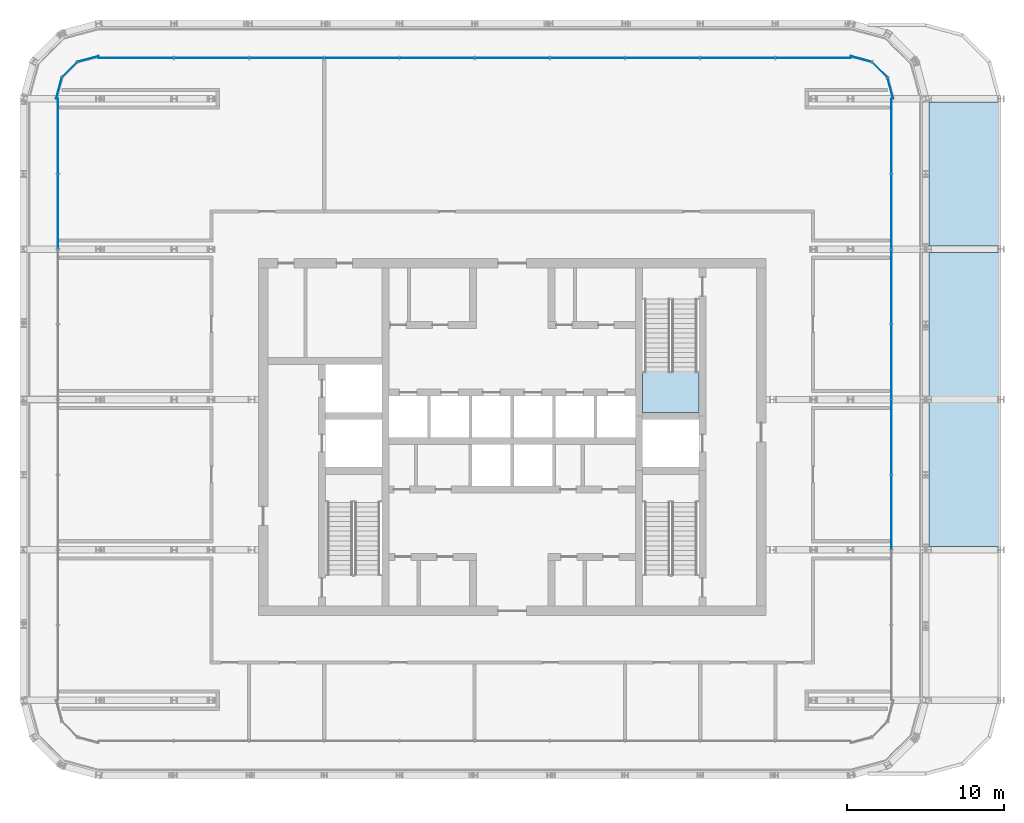
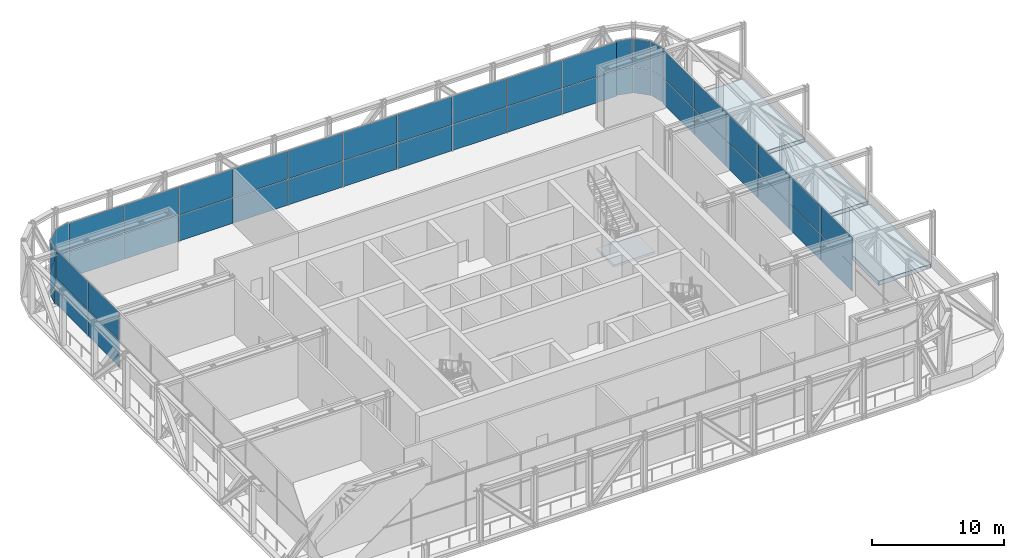
# One storey, part 17 of 26: 48 plates, 4 slabs, 6 elements without a shape of their own.
"""IFC4 building model written with IfcOpenShell, lengths in metres."""

from ifc_helpers import new_model, si_unit, direction, frame, origin, origin_2d, place, context, subcontext, project, spatial, polyline, rectangle, outline, extrude, material, layer, layer_set, type_object, element, aggregate, save


model = new_model("IFC4")

# Units and contexts
model_context = context("Model", 3, precision=1e-05, world=origin(), true_north=direction((0.0, 1.0)))
body_context = subcontext(model_context, "Body", "Model", "MODEL_VIEW")
ifc_project = project(units=[si_unit("LENGTHUNIT", "METRE"), si_unit("AREAUNIT", "SQUARE_METRE"), si_unit("VOLUMEUNIT", "CUBIC_METRE"), si_unit("PLANEANGLEUNIT", "RADIAN"), si_unit("MASSUNIT", "GRAM", prefix="KILO")], contexts=[model_context])

# Site, building, storey
site_placement = place(None, origin())
site = spatial("IfcSite", under=ifc_project, at=site_placement, CompositionType="ELEMENT")
building_placement = place(site_placement, origin())
building = spatial("IfcBuilding", under=site, at=building_placement, Name="Madar Terraces", CompositionType="ELEMENT")
storey_placement = place(building_placement, frame((0.0, 0.0, 233.300048828125)))
storey = spatial("IfcBuildingStorey", under=building, at=storey_placement, Name="L61", CompositionType="ELEMENT", Elevation=233.300048828125)

# Curtain wall, plates
ifc_material_1 = material(Name="Glass, ceramic frit dark grey, with black aluminium frame", Category="aluminium")
ifc_layer_1 = layer(ifc_material_1, 0.199951171875)
ifc_layer_set_1 = layer_set([ifc_layer_1], Name="Facade curtain wall, tall glazing")
curtain_wall_type = type_object("IfcCurtainWallType", Name="Facade curtain wall, tall glazing", PredefinedType="NOTDEFINED", material=ifc_layer_set_1)
curtain_wall_1_placement = place(storey_placement, origin())
curtain_wall_1 = element("IfcCurtainWall", 1, at=curtain_wall_1_placement, inside=storey, type_object=curtain_wall_type, Name="Outer skin curtain wall east bay 1", PredefinedType="NOTDEFINED")
ifc_material_2 = material(Name="Glass, ceramic frit dark grey", Category="glass")
ifc_layer_2 = layer(ifc_material_2, 0.028076171875)
ifc_layer_set_2 = layer_set([ifc_layer_2], Name="Facade glass panel 28")
plate_type = type_object("IfcPlateType", Name="Facade glass panel 28", PredefinedType="CURTAIN_PANEL", material=ifc_layer_set_2)
plate_1_placement = place(storey_placement, frame((55.39990234375, 21.60009765625, 0.0), z_axis=(0.0, 0.0, 1.0), x_axis=(0.0, 1.0, 0.0)))
plate_1 = element("IfcPlate", 2, at=plate_1_placement, type_object=plate_type, Name="Panel 5", PredefinedType="CURTAIN_PANEL", context=body_context, shape_type="SweptSolid", body=[
    extrude(rectangle(XDim=4.739990234375, YDim=0.028076171875, at=origin_2d()), origin(), (0.0, 0.0, 1.0), 2.3701171875),
])
plate_2_placement = place(storey_placement, frame((55.39990234375, 21.60009765625, 2.4296875), z_axis=(0.0, 0.0, 1.0), x_axis=(0.0, 1.0, 0.0)))
plate_2 = element("IfcPlate", 3, at=plate_2_placement, type_object=plate_type, Name="Panel 6", PredefinedType="CURTAIN_PANEL", context=body_context, shape_type="SweptSolid", body=[
    extrude(rectangle(XDim=4.739990234375, YDim=0.028076171875, at=origin_2d()), origin(), (0.0, 0.0, 1.0), 2.610107421875),
])
plate_3_placement = place(storey_placement, frame((55.39990234375, 26.39990234375, 0.0), z_axis=(0.0, 0.0, 1.0), x_axis=(0.0, 1.0, 0.0)))
plate_3 = element("IfcPlate", 4, at=plate_3_placement, type_object=plate_type, Name="Panel 7", PredefinedType="CURTAIN_PANEL", context=body_context, shape_type="SweptSolid", body=[
    extrude(rectangle(XDim=4.739990234375, YDim=0.028076171875, at=origin_2d()), origin(), (0.0, 0.0, 1.0), 2.3701171875),
])
plate_4_placement = place(storey_placement, frame((55.39990234375, 26.39990234375, 2.4296875), z_axis=(0.0, 0.0, 1.0), x_axis=(0.0, 1.0, 0.0)))
plate_4 = element("IfcPlate", 5, at=plate_4_placement, type_object=plate_type, Name="Panel 8", PredefinedType="CURTAIN_PANEL", context=body_context, shape_type="SweptSolid", body=[
    extrude(rectangle(XDim=4.739990234375, YDim=0.028076171875, at=origin_2d()), origin(), (0.0, 0.0, 1.0), 2.610107421875),
])
plate_5_placement = place(storey_placement, frame((55.39990234375, 31.199951171875, 0.0), z_axis=(0.0, 0.0, 1.0), x_axis=(0.0, 1.0, 0.0)))
plate_5 = element("IfcPlate", 6, at=plate_5_placement, type_object=plate_type, Name="Panel 9", PredefinedType="CURTAIN_PANEL", context=body_context, shape_type="SweptSolid", body=[
    extrude(rectangle(XDim=4.739990234375, YDim=0.028076171875, at=origin_2d()), origin(), (0.0, 0.0, 1.0), 2.3701171875),
])
plate_6_placement = place(storey_placement, frame((55.39990234375, 31.199951171875, 2.4296875), z_axis=(0.0, 0.0, 1.0), x_axis=(0.0, 1.0, 0.0)))
plate_6 = element("IfcPlate", 7, at=plate_6_placement, type_object=plate_type, Name="Panel 10", PredefinedType="CURTAIN_PANEL", context=body_context, shape_type="SweptSolid", body=[
    extrude(rectangle(XDim=4.739990234375, YDim=0.028076171875, at=origin_2d()), origin(), (0.0, 0.0, 1.0), 2.610107421875),
])
plate_7_placement = place(storey_placement, frame((55.39990234375, 36.0, 0.0), z_axis=(0.0, 0.0, 1.0), x_axis=(0.0, 1.0, 0.0)))
plate_7 = element("IfcPlate", 8, at=plate_7_placement, type_object=plate_type, Name="Panel 11", PredefinedType="CURTAIN_PANEL", context=body_context, shape_type="SweptSolid", body=[
    extrude(rectangle(XDim=4.739990234375, YDim=0.028076171875, at=origin_2d()), origin(), (0.0, 0.0, 1.0), 2.3701171875),
])
plate_8_placement = place(storey_placement, frame((55.39990234375, 36.0, 2.4296875), z_axis=(0.0, 0.0, 1.0), x_axis=(0.0, 1.0, 0.0)))
plate_8 = element("IfcPlate", 9, at=plate_8_placement, type_object=plate_type, Name="Panel 12", PredefinedType="CURTAIN_PANEL", context=body_context, shape_type="SweptSolid", body=[
    extrude(rectangle(XDim=4.739990234375, YDim=0.028076171875, at=origin_2d()), origin(), (0.0, 0.0, 1.0), 2.610107421875),
])
plate_9_placement = place(storey_placement, frame((55.39990234375, 40.800048828125, 0.0), z_axis=(0.0, 0.0, 1.0), x_axis=(0.0, 1.0, 0.0)))
plate_9 = element("IfcPlate", 10, at=plate_9_placement, type_object=plate_type, Name="Panel 13", PredefinedType="CURTAIN_PANEL", context=body_context, shape_type="SweptSolid", body=[
    extrude(rectangle(XDim=4.739990234375, YDim=0.028076171875, at=origin_2d()), origin(), (0.0, 0.0, 1.0), 2.3701171875),
])
plate_10_placement = place(storey_placement, frame((55.39990234375, 40.800048828125, 2.4296875), z_axis=(0.0, 0.0, 1.0), x_axis=(0.0, 1.0, 0.0)))
plate_10 = element("IfcPlate", 11, at=plate_10_placement, type_object=plate_type, Name="Panel 14", PredefinedType="CURTAIN_PANEL", context=body_context, shape_type="SweptSolid", body=[
    extrude(rectangle(XDim=4.739990234375, YDim=0.028076171875, at=origin_2d()), origin(), (0.0, 0.0, 1.0), 2.610107421875),
])
plate_11_placement = place(storey_placement, frame((55.39990234375, 45.614990234375, 0.0), z_axis=(0.0, 0.0, 1.0), x_axis=(0.0, 1.0, 0.0)))
plate_11 = element("IfcPlate", 12, at=plate_11_placement, type_object=plate_type, Name="Panel 15", PredefinedType="CURTAIN_PANEL", context=body_context, shape_type="SweptSolid", body=[
    extrude(rectangle(XDim=4.77001953125, YDim=0.028076171875, at=origin_2d()), origin(), (0.0, 0.0, 1.0), 2.3701171875),
])
plate_12_placement = place(storey_placement, frame((55.39990234375, 45.614990234375, 2.4296875), z_axis=(0.0, 0.0, 1.0), x_axis=(0.0, 1.0, 0.0)))
plate_12 = element("IfcPlate", 13, at=plate_12_placement, type_object=plate_type, Name="Panel 16", PredefinedType="CURTAIN_PANEL", context=body_context, shape_type="SweptSolid", body=[
    extrude(rectangle(XDim=4.77001953125, YDim=0.028076171875, at=origin_2d()), origin(), (0.0, 0.0, 1.0), 2.610107421875),
])
aggregate(curtain_wall_1, [plate_1, plate_2, plate_3, plate_4, plate_5, plate_6, plate_7, plate_8, plate_9, plate_10, plate_11, plate_12])

curtain_wall_2_placement = place(storey_placement, origin())
curtain_wall_2 = element("IfcCurtainWall", 14, at=curtain_wall_2_placement, inside=storey, type_object=curtain_wall_type, Name="Outer skin curtain wall north bay 1", PredefinedType="NOTDEFINED")
plate_13_placement = place(storey_placement, frame((50.4150390625, 50.60009765625, 0.0), z_axis=(0.0, 0.0, 1.0), x_axis=(-1.0, 0.0, 0.0)))
plate_13 = element("IfcPlate", 15, at=plate_13_placement, type_object=plate_type, Name="Panel 1", PredefinedType="CURTAIN_PANEL", context=body_context, shape_type="SweptSolid", body=[
    extrude(rectangle(XDim=4.77001953125, YDim=0.028076171875, at=origin_2d()), origin(), (0.0, 0.0, 1.0), 2.3701171875),
])
plate_14_placement = place(storey_placement, frame((50.4150390625, 50.60009765625, 2.4296875), z_axis=(0.0, 0.0, 1.0), x_axis=(-1.0, 0.0, 0.0)))
plate_14 = element("IfcPlate", 16, at=plate_14_placement, type_object=plate_type, Name="Panel 2", PredefinedType="CURTAIN_PANEL", context=body_context, shape_type="SweptSolid", body=[
    extrude(rectangle(XDim=4.77001953125, YDim=0.028076171875, at=origin_2d()), origin(), (0.0, 0.0, 1.0), 2.610107421875),
])
plate_15_placement = place(storey_placement, frame((45.60009765625, 50.60009765625, 0.0), z_axis=(0.0, 0.0, 1.0), x_axis=(-1.0, 0.0, 0.0)))
plate_15 = element("IfcPlate", 17, at=plate_15_placement, type_object=plate_type, Name="Panel 3", PredefinedType="CURTAIN_PANEL", context=body_context, shape_type="SweptSolid", body=[
    extrude(rectangle(XDim=4.739990234375, YDim=0.028076171875, at=origin_2d()), origin(), (0.0, 0.0, 1.0), 2.3701171875),
])
plate_16_placement = place(storey_placement, frame((45.60009765625, 50.60009765625, 2.4296875), z_axis=(0.0, 0.0, 1.0), x_axis=(-1.0, 0.0, 0.0)))
plate_16 = element("IfcPlate", 18, at=plate_16_placement, type_object=plate_type, Name="Panel 4", PredefinedType="CURTAIN_PANEL", context=body_context, shape_type="SweptSolid", body=[
    extrude(rectangle(XDim=4.739990234375, YDim=0.028076171875, at=origin_2d()), origin(), (0.0, 0.0, 1.0), 2.610107421875),
])
plate_17_placement = place(storey_placement, frame((40.800048828125, 50.60009765625, 0.0), z_axis=(0.0, 0.0, 1.0), x_axis=(-1.0, 0.0, 0.0)))
plate_17 = element("IfcPlate", 19, at=plate_17_placement, type_object=plate_type, Name="Panel 5", PredefinedType="CURTAIN_PANEL", context=body_context, shape_type="SweptSolid", body=[
    extrude(rectangle(XDim=4.739990234375, YDim=0.028076171875, at=origin_2d()), origin(), (0.0, 0.0, 1.0), 2.3701171875),
])
plate_18_placement = place(storey_placement, frame((40.800048828125, 50.60009765625, 2.4296875), z_axis=(0.0, 0.0, 1.0), x_axis=(-1.0, 0.0, 0.0)))
plate_18 = element("IfcPlate", 20, at=plate_18_placement, type_object=plate_type, Name="Panel 6", PredefinedType="CURTAIN_PANEL", context=body_context, shape_type="SweptSolid", body=[
    extrude(rectangle(XDim=4.739990234375, YDim=0.028076171875, at=origin_2d()), origin(), (0.0, 0.0, 1.0), 2.610107421875),
])
plate_19_placement = place(storey_placement, frame((36.0, 50.60009765625, 0.0), z_axis=(0.0, 0.0, 1.0), x_axis=(-1.0, 0.0, 0.0)))
plate_19 = element("IfcPlate", 21, at=plate_19_placement, type_object=plate_type, Name="Panel 7", PredefinedType="CURTAIN_PANEL", context=body_context, shape_type="SweptSolid", body=[
    extrude(rectangle(XDim=4.739990234375, YDim=0.028076171875, at=origin_2d()), origin(), (0.0, 0.0, 1.0), 2.3701171875),
])
plate_20_placement = place(storey_placement, frame((36.0, 50.60009765625, 2.4296875), z_axis=(0.0, 0.0, 1.0), x_axis=(-1.0, 0.0, 0.0)))
plate_20 = element("IfcPlate", 22, at=plate_20_placement, type_object=plate_type, Name="Panel 8", PredefinedType="CURTAIN_PANEL", context=body_context, shape_type="SweptSolid", body=[
    extrude(rectangle(XDim=4.739990234375, YDim=0.028076171875, at=origin_2d()), origin(), (0.0, 0.0, 1.0), 2.610107421875),
])
plate_21_placement = place(storey_placement, frame((31.199951171875, 50.60009765625, 0.0), z_axis=(0.0, 0.0, 1.0), x_axis=(-1.0, 0.0, 0.0)))
plate_21 = element("IfcPlate", 23, at=plate_21_placement, type_object=plate_type, Name="Panel 9", PredefinedType="CURTAIN_PANEL", context=body_context, shape_type="SweptSolid", body=[
    extrude(rectangle(XDim=4.739990234375, YDim=0.028076171875, at=origin_2d()), origin(), (0.0, 0.0, 1.0), 2.3701171875),
])
plate_22_placement = place(storey_placement, frame((31.199951171875, 50.60009765625, 2.4296875), z_axis=(0.0, 0.0, 1.0), x_axis=(-1.0, 0.0, 0.0)))
plate_22 = element("IfcPlate", 24, at=plate_22_placement, type_object=plate_type, Name="Panel 10", PredefinedType="CURTAIN_PANEL", context=body_context, shape_type="SweptSolid", body=[
    extrude(rectangle(XDim=4.739990234375, YDim=0.028076171875, at=origin_2d()), origin(), (0.0, 0.0, 1.0), 2.610107421875),
])
plate_23_placement = place(storey_placement, frame((26.39990234375, 50.60009765625, 0.0), z_axis=(0.0, 0.0, 1.0), x_axis=(-1.0, 0.0, 0.0)))
plate_23 = element("IfcPlate", 25, at=plate_23_placement, type_object=plate_type, Name="Panel 11", PredefinedType="CURTAIN_PANEL", context=body_context, shape_type="SweptSolid", body=[
    extrude(rectangle(XDim=4.739990234375, YDim=0.028076171875, at=origin_2d()), origin(), (0.0, 0.0, 1.0), 2.3701171875),
])
plate_24_placement = place(storey_placement, frame((26.39990234375, 50.60009765625, 2.4296875), z_axis=(0.0, 0.0, 1.0), x_axis=(-1.0, 0.0, 0.0)))
plate_24 = element("IfcPlate", 26, at=plate_24_placement, type_object=plate_type, Name="Panel 12", PredefinedType="CURTAIN_PANEL", context=body_context, shape_type="SweptSolid", body=[
    extrude(rectangle(XDim=4.739990234375, YDim=0.028076171875, at=origin_2d()), origin(), (0.0, 0.0, 1.0), 2.610107421875),
])
plate_25_placement = place(storey_placement, frame((21.60009765625, 50.60009765625, 0.0), z_axis=(0.0, 0.0, 1.0), x_axis=(-1.0, 0.0, 0.0)))
plate_25 = element("IfcPlate", 27, at=plate_25_placement, type_object=plate_type, Name="Panel 13", PredefinedType="CURTAIN_PANEL", context=body_context, shape_type="SweptSolid", body=[
    extrude(rectangle(XDim=4.739990234375, YDim=0.028076171875, at=origin_2d()), origin(), (0.0, 0.0, 1.0), 2.3701171875),
])
plate_26_placement = place(storey_placement, frame((21.60009765625, 50.60009765625, 2.4296875), z_axis=(0.0, 0.0, 1.0), x_axis=(-1.0, 0.0, 0.0)))
plate_26 = element("IfcPlate", 28, at=plate_26_placement, type_object=plate_type, Name="Panel 14", PredefinedType="CURTAIN_PANEL", context=body_context, shape_type="SweptSolid", body=[
    extrude(rectangle(XDim=4.739990234375, YDim=0.028076171875, at=origin_2d()), origin(), (0.0, 0.0, 1.0), 2.610107421875),
])
plate_27_placement = place(storey_placement, frame((16.800048828125, 50.60009765625, 0.0), z_axis=(0.0, 0.0, 1.0), x_axis=(-1.0, 0.0, 0.0)))
plate_27 = element("IfcPlate", 29, at=plate_27_placement, type_object=plate_type, Name="Panel 15", PredefinedType="CURTAIN_PANEL", context=body_context, shape_type="SweptSolid", body=[
    extrude(rectangle(XDim=4.739990234375, YDim=0.028076171875, at=origin_2d()), origin(), (0.0, 0.0, 1.0), 2.3701171875),
])
plate_28_placement = place(storey_placement, frame((16.800048828125, 50.60009765625, 2.4296875), z_axis=(0.0, 0.0, 1.0), x_axis=(-1.0, 0.0, 0.0)))
plate_28 = element("IfcPlate", 30, at=plate_28_placement, type_object=plate_type, Name="Panel 16", PredefinedType="CURTAIN_PANEL", context=body_context, shape_type="SweptSolid", body=[
    extrude(rectangle(XDim=4.739990234375, YDim=0.028076171875, at=origin_2d()), origin(), (0.0, 0.0, 1.0), 2.610107421875),
])
plate_29_placement = place(storey_placement, frame((12.0, 50.60009765625, 0.0), z_axis=(0.0, 0.0, 1.0), x_axis=(-1.0, 0.0, 0.0)))
plate_29 = element("IfcPlate", 31, at=plate_29_placement, type_object=plate_type, Name="Panel 17", PredefinedType="CURTAIN_PANEL", context=body_context, shape_type="SweptSolid", body=[
    extrude(rectangle(XDim=4.739990234375, YDim=0.028076171875, at=origin_2d()), origin(), (0.0, 0.0, 1.0), 2.3701171875),
])
plate_30_placement = place(storey_placement, frame((12.0, 50.60009765625, 2.4296875), z_axis=(0.0, 0.0, 1.0), x_axis=(-1.0, 0.0, 0.0)))
plate_30 = element("IfcPlate", 32, at=plate_30_placement, type_object=plate_type, Name="Panel 18", PredefinedType="CURTAIN_PANEL", context=body_context, shape_type="SweptSolid", body=[
    extrude(rectangle(XDim=4.739990234375, YDim=0.028076171875, at=origin_2d()), origin(), (0.0, 0.0, 1.0), 2.610107421875),
])
plate_31_placement = place(storey_placement, frame((7.18505859375, 50.60009765625, 0.0), z_axis=(0.0, 0.0, 1.0), x_axis=(-1.0, 0.0, 0.0)))
plate_31 = element("IfcPlate", 33, at=plate_31_placement, type_object=plate_type, Name="Panel 19", PredefinedType="CURTAIN_PANEL", context=body_context, shape_type="SweptSolid", body=[
    extrude(rectangle(XDim=4.77001953125, YDim=0.028076171875, at=origin_2d()), origin(), (0.0, 0.0, 1.0), 2.3701171875),
])
plate_32_placement = place(storey_placement, frame((7.18505859375, 50.60009765625, 2.4296875), z_axis=(0.0, 0.0, 1.0), x_axis=(-1.0, 0.0, 0.0)))
plate_32 = element("IfcPlate", 34, at=plate_32_placement, type_object=plate_type, Name="Panel 20", PredefinedType="CURTAIN_PANEL", context=body_context, shape_type="SweptSolid", body=[
    extrude(rectangle(XDim=4.77001953125, YDim=0.028076171875, at=origin_2d()), origin(), (0.0, 0.0, 1.0), 2.610107421875),
])
aggregate(curtain_wall_2, [plate_13, plate_14, plate_15, plate_16, plate_17, plate_18, plate_19, plate_20, plate_21, plate_22, plate_23, plate_24, plate_25, plate_26, plate_27, plate_28, plate_29, plate_30, plate_31, plate_32])

curtain_wall_3_placement = place(storey_placement, origin())
curtain_wall_3 = element("IfcCurtainWall", 35, at=curtain_wall_3_placement, inside=storey, type_object=curtain_wall_type, Name="Outer skin curtain wall west bay 1", PredefinedType="NOTDEFINED")
plate_33_placement = place(storey_placement, frame((2.199951171875, 45.614990234375, 0.0), z_axis=(0.0, 0.0, 1.0), x_axis=(0.0, -1.0, 0.0)))
plate_33 = element("IfcPlate", 36, at=plate_33_placement, type_object=plate_type, Name="Panel 1", PredefinedType="CURTAIN_PANEL", context=body_context, shape_type="SweptSolid", body=[
    extrude(rectangle(XDim=4.77001953125, YDim=0.028076171875, at=origin_2d()), origin(), (0.0, 0.0, 1.0), 2.3701171875),
])
plate_34_placement = place(storey_placement, frame((2.199951171875, 45.614990234375, 2.4296875), z_axis=(0.0, 0.0, 1.0), x_axis=(0.0, -1.0, 0.0)))
plate_34 = element("IfcPlate", 37, at=plate_34_placement, type_object=plate_type, Name="Panel 2", PredefinedType="CURTAIN_PANEL", context=body_context, shape_type="SweptSolid", body=[
    extrude(rectangle(XDim=4.77001953125, YDim=0.028076171875, at=origin_2d()), origin(), (0.0, 0.0, 1.0), 2.610107421875),
])
plate_35_placement = place(storey_placement, frame((2.199951171875, 40.800048828125, 0.0), z_axis=(0.0, 0.0, 1.0), x_axis=(0.0, -1.0, 0.0)))
plate_35 = element("IfcPlate", 38, at=plate_35_placement, type_object=plate_type, Name="Panel 3", PredefinedType="CURTAIN_PANEL", context=body_context, shape_type="SweptSolid", body=[
    extrude(rectangle(XDim=4.739990234375, YDim=0.028076171875, at=origin_2d()), origin(), (0.0, 0.0, 1.0), 2.3701171875),
])
plate_36_placement = place(storey_placement, frame((2.199951171875, 40.800048828125, 2.4296875), z_axis=(0.0, 0.0, 1.0), x_axis=(0.0, -1.0, 0.0)))
plate_36 = element("IfcPlate", 39, at=plate_36_placement, type_object=plate_type, Name="Panel 4", PredefinedType="CURTAIN_PANEL", context=body_context, shape_type="SweptSolid", body=[
    extrude(rectangle(XDim=4.739990234375, YDim=0.028076171875, at=origin_2d()), origin(), (0.0, 0.0, 1.0), 2.610107421875),
])
aggregate(curtain_wall_3, [plate_33, plate_34, plate_35, plate_36])

curtain_wall_4_placement = place(storey_placement, origin())
curtain_wall_4 = element("IfcCurtainWall", 40, at=curtain_wall_4_placement, inside=storey, type_object=curtain_wall_type, Name="Outer skin curtain wall north-east corner", PredefinedType="NOTDEFINED")
plate_37_placement = place(storey_placement, frame((55.341796875, 48.66552734375, 0.0), z_axis=(0.0, 0.0, 1.0), x_axis=(-0.258819110244, 0.965925808834, 0.0)))
plate_37 = element("IfcPlate", 41, at=plate_37_placement, type_object=plate_type, Name="Panel 1", PredefinedType="CURTAIN_PANEL", context=body_context, shape_type="SweptSolid", body=[
    extrude(rectangle(XDim=1.3779296875, YDim=0.028076171875, at=origin_2d()), origin(), (0.0, 0.0, 1.0), 2.3701171875),
])
plate_38_placement = place(storey_placement, frame((55.341796875, 48.66552734375, 2.4296875), z_axis=(0.0, 0.0, 1.0), x_axis=(-0.258819110244, 0.965925808834, 0.0)))
plate_38 = element("IfcPlate", 42, at=plate_38_placement, type_object=plate_type, Name="Panel 2", PredefinedType="CURTAIN_PANEL", context=body_context, shape_type="SweptSolid", body=[
    extrude(rectangle(XDim=1.3779296875, YDim=0.028076171875, at=origin_2d()), origin(), (0.0, 0.0, 1.0), 2.610107421875),
])
plate_39_placement = place(storey_placement, frame((54.65771484375, 49.85791015625, 0.0), z_axis=(0.0, 0.0, 1.0), x_axis=(-0.707106781187, 0.707106781187, 0.0)))
plate_39 = element("IfcPlate", 43, at=plate_39_placement, type_object=plate_type, Name="Panel 3", PredefinedType="CURTAIN_PANEL", context=body_context, shape_type="SweptSolid", body=[
    extrude(rectangle(XDim=1.347900390625, YDim=0.028076171875, at=origin_2d()), origin(), (0.0, 0.0, 1.0), 2.3701171875),
])
plate_40_placement = place(storey_placement, frame((54.65771484375, 49.85791015625, 2.4296875), z_axis=(0.0, 0.0, 1.0), x_axis=(-0.707106781187, 0.707106781187, 0.0)))
plate_40 = element("IfcPlate", 44, at=plate_40_placement, type_object=plate_type, Name="Panel 4", PredefinedType="CURTAIN_PANEL", context=body_context, shape_type="SweptSolid", body=[
    extrude(rectangle(XDim=1.347900390625, YDim=0.028076171875, at=origin_2d()), origin(), (0.0, 0.0, 1.0), 2.610107421875),
])
plate_41_placement = place(storey_placement, frame((53.465576171875, 50.541748046875, 0.0), z_axis=(0.0, 0.0, 1.0), x_axis=(-0.965925808834, 0.258819110244, 0.0)))
plate_41 = element("IfcPlate", 45, at=plate_41_placement, type_object=plate_type, Name="Panel 5", PredefinedType="CURTAIN_PANEL", context=body_context, shape_type="SweptSolid", body=[
    extrude(rectangle(XDim=1.3779296875, YDim=0.028076171875, at=origin_2d()), origin(), (0.0, 0.0, 1.0), 2.3701171875),
])
plate_42_placement = place(storey_placement, frame((53.465576171875, 50.541748046875, 2.4296875), z_axis=(0.0, 0.0, 1.0), x_axis=(-0.965925808834, 0.258819110244, 0.0)))
plate_42 = element("IfcPlate", 46, at=plate_42_placement, type_object=plate_type, Name="Panel 6", PredefinedType="CURTAIN_PANEL", context=body_context, shape_type="SweptSolid", body=[
    extrude(rectangle(XDim=1.3779296875, YDim=0.028076171875, at=origin_2d()), origin(), (0.0, 0.0, 1.0), 2.610107421875),
])
aggregate(curtain_wall_4, [plate_37, plate_38, plate_39, plate_40, plate_41, plate_42])

curtain_wall_5_placement = place(storey_placement, origin())
curtain_wall_5 = element("IfcCurtainWall", 47, at=curtain_wall_5_placement, inside=storey, type_object=curtain_wall_type, Name="Outer skin curtain wall north-west corner", PredefinedType="NOTDEFINED")
plate_43_placement = place(storey_placement, frame((4.134521484375, 50.541748046875, 0.0), z_axis=(0.0, 0.0, 1.0), x_axis=(-0.965925808834, -0.258819110244, 0.0)))
plate_43 = element("IfcPlate", 48, at=plate_43_placement, type_object=plate_type, Name="Panel 1", PredefinedType="CURTAIN_PANEL", context=body_context, shape_type="SweptSolid", body=[
    extrude(rectangle(XDim=1.3779296875, YDim=0.028076171875, at=origin_2d()), origin(), (0.0, 0.0, 1.0), 2.3701171875),
])
plate_44_placement = place(storey_placement, frame((4.134521484375, 50.541748046875, 2.4296875), z_axis=(0.0, 0.0, 1.0), x_axis=(-0.965925808834, -0.258819110244, 0.0)))
plate_44 = element("IfcPlate", 49, at=plate_44_placement, type_object=plate_type, Name="Panel 2", PredefinedType="CURTAIN_PANEL", context=body_context, shape_type="SweptSolid", body=[
    extrude(rectangle(XDim=1.3779296875, YDim=0.028076171875, at=origin_2d()), origin(), (0.0, 0.0, 1.0), 2.610107421875),
])
plate_45_placement = place(storey_placement, frame((2.942138671875, 49.85791015625, 0.0), z_axis=(0.0, 0.0, 1.0), x_axis=(-0.707106781187, -0.707106781187, 0.0)))
plate_45 = element("IfcPlate", 50, at=plate_45_placement, type_object=plate_type, Name="Panel 3", PredefinedType="CURTAIN_PANEL", context=body_context, shape_type="SweptSolid", body=[
    extrude(rectangle(XDim=1.347900390625, YDim=0.028076171875, at=origin_2d()), origin(), (0.0, 0.0, 1.0), 2.3701171875),
])
plate_46_placement = place(storey_placement, frame((2.942138671875, 49.85791015625, 2.4296875), z_axis=(0.0, 0.0, 1.0), x_axis=(-0.707106781187, -0.707106781187, 0.0)))
plate_46 = element("IfcPlate", 51, at=plate_46_placement, type_object=plate_type, Name="Panel 4", PredefinedType="CURTAIN_PANEL", context=body_context, shape_type="SweptSolid", body=[
    extrude(rectangle(XDim=1.347900390625, YDim=0.028076171875, at=origin_2d()), origin(), (0.0, 0.0, 1.0), 2.610107421875),
])
plate_47_placement = place(storey_placement, frame((2.25830078125, 48.66552734375, 0.0), z_axis=(0.0, 0.0, 1.0), x_axis=(-0.258819110244, -0.965925808834, 0.0)))
plate_47 = element("IfcPlate", 52, at=plate_47_placement, type_object=plate_type, Name="Panel 5", PredefinedType="CURTAIN_PANEL", context=body_context, shape_type="SweptSolid", body=[
    extrude(rectangle(XDim=1.3779296875, YDim=0.028076171875, at=origin_2d()), origin(), (0.0, 0.0, 1.0), 2.3701171875),
])
plate_48_placement = place(storey_placement, frame((2.25830078125, 48.66552734375, 2.4296875), z_axis=(0.0, 0.0, 1.0), x_axis=(-0.258819110244, -0.965925808834, 0.0)))
plate_48 = element("IfcPlate", 53, at=plate_48_placement, type_object=plate_type, Name="Panel 6", PredefinedType="CURTAIN_PANEL", context=body_context, shape_type="SweptSolid", body=[
    extrude(rectangle(XDim=1.3779296875, YDim=0.028076171875, at=origin_2d()), origin(), (0.0, 0.0, 1.0), 2.610107421875),
])
aggregate(curtain_wall_5, [plate_43, plate_44, plate_45, plate_46, plate_47, plate_48])

# Stair, slab
ifc_material_3 = material(Name="Concrete C50/60", Category="concrete")
stair_type = type_object("IfcStairType", Name="Stair ST2 protected exit", PredefinedType="HALF_TURN_STAIR", material=ifc_material_3)
stair_placement = place(storey_placement, origin())
stair = element("IfcStair", 54, at=stair_placement, inside=storey, type_object=stair_type, Name="L61 Protected Exit Stair ST2", PredefinedType="HALF_TURN_STAIR")
ifc_material_4 = material(Name="Concrete C50/60", Category="concrete")
ifc_layer_3 = layer(ifc_material_4, 0.199951171875)
ifc_layer_set_3 = layer_set([ifc_layer_3], Name="Stair landing 200, top +2.70")
slab_type_1 = type_object("IfcSlabType", Name="Stair landing 200, top +2.70", PredefinedType="LANDING", material=ifc_layer_set_3)
slab_1_placement = place(storey_placement, frame((0.0, 0.0, 2.5)))
slab_1 = element("IfcSlab", 55, at=slab_1_placement, type_object=slab_type_1, Name="ST2 landing 1", PredefinedType="LANDING", context=body_context, shape_type="SweptSolid", body=[
    extrude(outline(polyline([(39.52490234375, 27.97509765625), (43.125, 27.97509765625), (43.125, 30.580078125), (39.52490234375, 30.580078125), (39.52490234375, 27.97509765625)])), origin(), (0.0, 0.0, 1.0), 0.199951171875),
])
aggregate(stair, [slab_1])

# Slabs
ifc_material_5 = material(Name="Concrete C50/60", Category="concrete")
ifc_layer_4 = layer(ifc_material_5, 0.39990234375)
ifc_layer_set_4 = layer_set([ifc_layer_4], Name="TS1 PT terrace slab 400")
slab_type_2 = type_object("IfcSlabType", Name="TS1 PT terrace slab 400", PredefinedType="FLOOR", material=ifc_layer_set_4)
slab_2_placement = place(storey_placement, frame((0.0, 0.0, -0.400146484375)))
element("IfcSlab", 56, at=slab_2_placement, inside=storey, type_object=slab_type_2, Name="Terrace roof slab L61 (4)", PredefinedType="FLOOR", context=body_context, shape_type="SweptSolid", body=[
    extrude(outline(polyline([(62.39892578125, 19.44482421875), (62.399658203125, 19.449462890625), (62.39990234375, 19.45458984375), (62.39990234375, 28.54541015625), (62.399658203125, 28.550537109375), (62.39892578125, 28.55517578125), (62.39794921875, 28.56005859375), (62.396240234375, 28.564697265625), (62.39404296875, 28.569091796875), (62.3916015625, 28.5732421875), (62.388671875, 28.5771484375), (62.38525390625, 28.580810546875), (62.3818359375, 28.584228515625), (62.377685546875, 28.587158203125), (62.37353515625, 28.589599609375), (62.369140625, 28.591796875), (62.364501953125, 28.59326171875), (62.35986328125, 28.594482421875), (62.35498046875, 28.59521484375), (62.35009765625, 28.595458984375), (57.8544921875, 28.595458984375), (57.849609375, 28.59521484375), (57.8447265625, 28.594482421875), (57.83984375, 28.59326171875), (57.83544921875, 28.591796875), (57.830810546875, 28.589599609375), (57.82666015625, 28.587158203125), (57.82275390625, 28.584228515625), (57.819091796875, 28.580810546875), (57.81591796875, 28.5771484375), (57.81298828125, 28.5732421875), (57.810302734375, 28.569091796875), (57.808349609375, 28.564697265625), (57.806640625, 28.56005859375), (57.805419921875, 28.55517578125), (57.8046875, 28.550537109375), (57.804443359375, 28.54541015625), (57.804443359375, 19.45458984375), (57.8046875, 19.449462890625), (57.805419921875, 19.44482421875), (57.806640625, 19.43994140625), (57.808349609375, 19.435302734375), (57.810302734375, 19.430908203125), (57.81298828125, 19.4267578125), (57.81591796875, 19.4228515625), (57.819091796875, 19.419189453125), (57.82275390625, 19.415771484375), (57.82666015625, 19.412841796875), (57.830810546875, 19.410400390625), (57.83544921875, 19.408203125), (57.83984375, 19.40673828125), (57.8447265625, 19.405517578125), (57.849609375, 19.40478515625), (57.8544921875, 19.404541015625), (62.35009765625, 19.404541015625), (62.35498046875, 19.40478515625), (62.35986328125, 19.405517578125), (62.364501953125, 19.40673828125), (62.369140625, 19.408203125), (62.37353515625, 19.410400390625), (62.377685546875, 19.412841796875), (62.3818359375, 19.415771484375), (62.38525390625, 19.419189453125), (62.388671875, 19.4228515625), (62.3916015625, 19.4267578125), (62.39404296875, 19.430908203125), (62.396240234375, 19.435302734375), (62.39794921875, 19.43994140625), (62.39892578125, 19.44482421875)])), origin(), (0.0, 0.0, 1.0), 0.400146484375),
])
slab_3_placement = place(storey_placement, frame((0.0, 0.0, -0.400146484375)))
element("IfcSlab", 57, at=slab_3_placement, inside=storey, type_object=slab_type_2, Name="Terrace roof slab L61 (5)", PredefinedType="FLOOR", context=body_context, shape_type="SweptSolid", body=[
    extrude(outline(polyline([(62.399658203125, 29.049560546875), (62.39990234375, 29.054443359375), (62.39990234375, 38.1455078125), (62.399658203125, 38.150390625), (62.39892578125, 38.1552734375), (62.39794921875, 38.16015625), (62.396240234375, 38.16455078125), (62.39404296875, 38.169189453125), (62.3916015625, 38.17333984375), (62.388671875, 38.17724609375), (62.38525390625, 38.180908203125), (62.3818359375, 38.18408203125), (62.377685546875, 38.18701171875), (62.37353515625, 38.189697265625), (62.369140625, 38.191650390625), (62.364501953125, 38.193359375), (62.35986328125, 38.194580078125), (62.35498046875, 38.1953125), (62.35009765625, 38.195556640625), (57.8544921875, 38.195556640625), (57.849609375, 38.1953125), (57.8447265625, 38.194580078125), (57.83984375, 38.193359375), (57.83544921875, 38.191650390625), (57.830810546875, 38.189697265625), (57.82666015625, 38.18701171875), (57.82275390625, 38.18408203125), (57.819091796875, 38.180908203125), (57.81591796875, 38.17724609375), (57.81298828125, 38.17333984375), (57.810302734375, 38.169189453125), (57.808349609375, 38.16455078125), (57.806640625, 38.16015625), (57.805419921875, 38.1552734375), (57.8046875, 38.150390625), (57.804443359375, 38.1455078125), (57.804443359375, 29.054443359375), (57.8046875, 29.049560546875), (57.805419921875, 29.044677734375), (57.806640625, 29.0400390625), (57.808349609375, 29.035400390625), (57.810302734375, 29.031005859375), (57.81298828125, 29.026611328125), (57.81591796875, 29.022705078125), (57.819091796875, 29.01904296875), (57.82275390625, 29.015869140625), (57.82666015625, 29.012939453125), (57.830810546875, 29.01025390625), (57.83544921875, 29.00830078125), (57.83984375, 29.006591796875), (57.8447265625, 29.00537109375), (57.849609375, 29.004638671875), (57.8544921875, 29.00439453125), (62.35009765625, 29.00439453125), (62.35498046875, 29.004638671875), (62.35986328125, 29.00537109375), (62.364501953125, 29.006591796875), (62.369140625, 29.00830078125), (62.37353515625, 29.01025390625), (62.377685546875, 29.012939453125), (62.3818359375, 29.015869140625), (62.38525390625, 29.01904296875), (62.388671875, 29.022705078125), (62.3916015625, 29.026611328125), (62.39404296875, 29.031005859375), (62.396240234375, 29.035400390625), (62.39794921875, 29.0400390625), (62.39892578125, 29.044677734375), (62.399658203125, 29.049560546875)])), origin(), (0.0, 0.0, 1.0), 0.400146484375),
])
slab_4_placement = place(storey_placement, frame((0.0, 0.0, -0.400146484375)))
element("IfcSlab", 58, at=slab_4_placement, inside=storey, type_object=slab_type_2, Name="Terrace roof slab L61 (6)", PredefinedType="FLOOR", context=body_context, shape_type="SweptSolid", body=[
    extrude(outline(polyline([(62.39892578125, 38.644775390625), (62.399658203125, 38.649658203125), (62.39990234375, 38.654541015625), (62.39990234375, 47.74560546875), (62.399658203125, 47.75048828125), (62.39892578125, 47.75537109375), (62.39794921875, 47.760009765625), (62.396240234375, 47.7646484375), (62.39404296875, 47.76904296875), (62.3916015625, 47.773193359375), (62.388671875, 47.77734375), (62.38525390625, 47.781005859375), (62.3818359375, 47.7841796875), (62.377685546875, 47.787109375), (62.37353515625, 47.78955078125), (62.369140625, 47.791748046875), (62.364501953125, 47.79345703125), (62.35986328125, 47.794677734375), (62.35498046875, 47.79541015625), (62.35009765625, 47.79541015625), (57.8544921875, 47.79541015625), (57.849609375, 47.79541015625), (57.8447265625, 47.794677734375), (57.83984375, 47.79345703125), (57.83544921875, 47.791748046875), (57.830810546875, 47.78955078125), (57.82666015625, 47.787109375), (57.82275390625, 47.7841796875), (57.819091796875, 47.781005859375), (57.81591796875, 47.77734375), (57.81298828125, 47.773193359375), (57.810302734375, 47.76904296875), (57.808349609375, 47.7646484375), (57.806640625, 47.760009765625), (57.805419921875, 47.75537109375), (57.8046875, 47.75048828125), (57.804443359375, 47.74560546875), (57.804443359375, 38.654541015625), (57.8046875, 38.649658203125), (57.805419921875, 38.644775390625), (57.806640625, 38.639892578125), (57.808349609375, 38.63525390625), (57.810302734375, 38.630859375), (57.81298828125, 38.626708984375), (57.81591796875, 38.622802734375), (57.819091796875, 38.619140625), (57.82275390625, 38.61572265625), (57.82666015625, 38.61279296875), (57.830810546875, 38.6103515625), (57.83544921875, 38.608154296875), (57.83984375, 38.606689453125), (57.8447265625, 38.60546875), (57.849609375, 38.604736328125), (57.8544921875, 38.6044921875), (62.35009765625, 38.6044921875), (62.35498046875, 38.604736328125), (62.35986328125, 38.60546875), (62.364501953125, 38.606689453125), (62.369140625, 38.608154296875), (62.37353515625, 38.6103515625), (62.377685546875, 38.61279296875), (62.3818359375, 38.61572265625), (62.38525390625, 38.619140625), (62.388671875, 38.622802734375), (62.3916015625, 38.626708984375), (62.39404296875, 38.630859375), (62.396240234375, 38.63525390625), (62.39794921875, 38.639892578125), (62.39892578125, 38.644775390625)])), origin(), (0.0, 0.0, 1.0), 0.400146484375),
])

save(model, "model.ifc")
